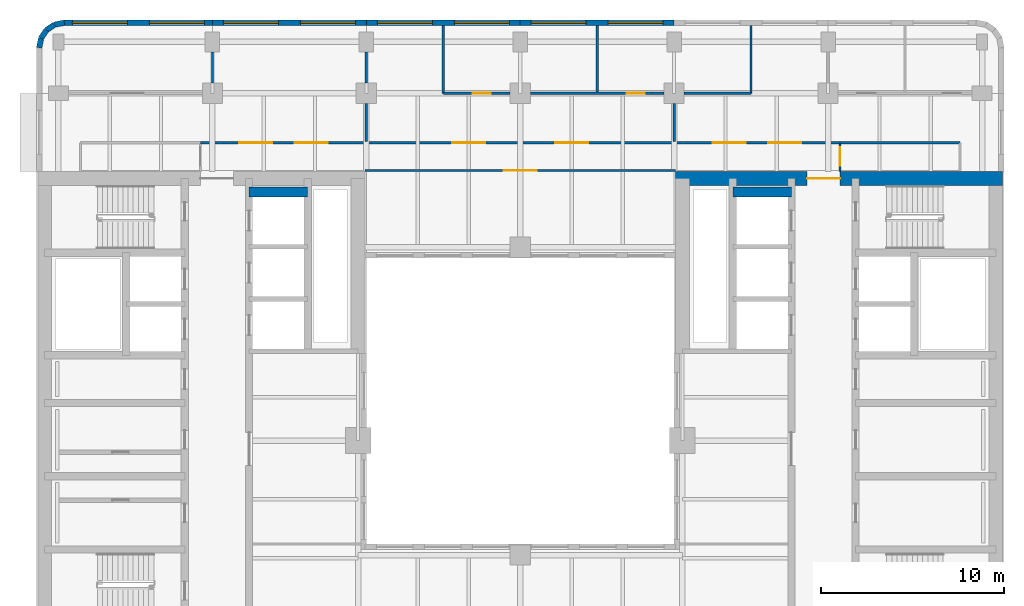
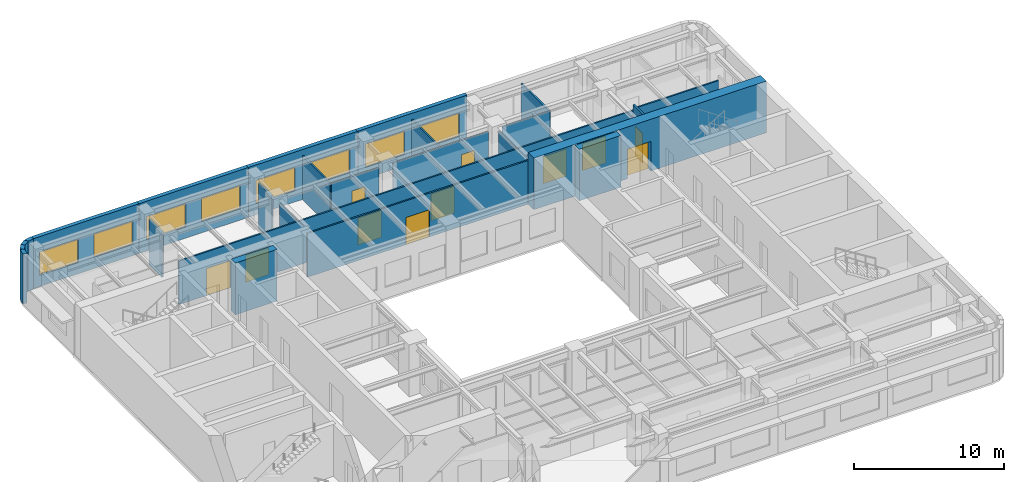
# One storey, part 7 of 11: 25 walls, 11 doors, 8 windows, 19 openings.
"""IFC4 building model written with IfcOpenShell, lengths in metres."""

import ifcopenshell
import ifcopenshell.guid

model = None  # the IFC model being written
_history = None  # IfcOwnerHistory: only IFC2X3 demands one
_inside = {}  # id of a spatial element -> (the spatial element, [elements in it])
_under = {}  # id of a project, library or spatial element -> (it, [spatial elements below it])
_declared = {}  # id of a project -> (the project, [libraries it declares])
_typed = {}  # id of a type object -> (the type object, [elements of that type])
_made_of = {}  # id of a material, layer set ... -> (it, [elements and type objects made of it])


def new_model(schema):
    """Start an empty IFC model of exactly this schema.

    Asked for "IFC4X3", IfcOpenShell would pick the latest addendum, in which some entities
    have other attributes; the version numbers below select the first issue.
    IFC2X3 requires an IfcOwnerHistory on every rooted entity: one is made here for all.
    """
    global model, _history
    if schema == "IFC4X3":
        model = ifcopenshell.file(schema_version=(4, 3, 0, 0))
    else:
        model = ifcopenshell.file(schema=schema)
    _inside.clear()
    _under.clear()
    _declared.clear()
    _typed.clear()
    _made_of.clear()
    _history = None
    if model.schema == "IFC2X3":
        org = make("IfcOrganization", Name="unknown")
        user = make(
            "IfcPersonAndOrganization",
            ThePerson=make("IfcPerson", FamilyName="unknown"),
            TheOrganization=org,
        )
        app = make(
            "IfcApplication",
            ApplicationDeveloper=org,
            Version="unknown",
            ApplicationFullName="unknown",
            ApplicationIdentifier="unknown",
        )
        _history = make(
            "IfcOwnerHistory",
            OwningUser=user,
            OwningApplication=app,
            ChangeAction="ADDED",
            CreationDate=0,
        )
    return model


def make(cls, **values):
    """One entity of the class cls with the attributes given. An attribute that is None is left unset."""
    return model.create_entity(
        cls, **{name: value for name, value in values.items() if value is not None}
    )


def rooted(cls, **values):
    """An entity with a GlobalId (a new one), such as an element, a storey or a relation."""
    return make(cls, GlobalId=ifcopenshell.guid.new(), OwnerHistory=_history, **values)


def si_unit(unit_type, name, prefix=None):
    """IfcSIUnit, for example si_unit("LENGTHUNIT", "METRE", prefix="MILLI")."""
    return make("IfcSIUnit", UnitType=unit_type, Prefix=prefix, Name=name)


def assignment(units):
    """IfcUnitAssignment: the units of a project."""
    return None if units is None else make("IfcUnitAssignment", Units=units)


def point(xyz):
    """IfcCartesianPoint."""
    return None if xyz is None else make("IfcCartesianPoint", Coordinates=xyz)


def direction(xyz):
    """IfcDirection."""
    return None if xyz is None else make("IfcDirection", DirectionRatios=xyz)


def frame(location, z_axis=None, x_axis=None):
    """IfcAxis2Placement3D, a coordinate frame: its origin and axes. An axis left out is left unset."""
    return make(
        "IfcAxis2Placement3D",
        Location=point(location),
        Axis=direction(z_axis),
        RefDirection=direction(x_axis),
    )


def frame_2d(location, x_axis=None):
    """IfcAxis2Placement2D, a coordinate frame in the plane: its origin and x axis."""
    return make(
        "IfcAxis2Placement2D", Location=point(location), RefDirection=direction(x_axis)
    )


def origin():
    """The frame at (0, 0, 0) with its axes left unset."""
    return frame((0.0, 0.0, 0.0))


def place(relative_to, where):
    """IfcLocalPlacement: puts the frame where relative to a parent placement (None: the world)."""
    return make(
        "IfcLocalPlacement", PlacementRelTo=relative_to, RelativePlacement=where
    )


def context(
    kind, dimensions, precision=None, world=None, true_north=None, identifier=None
):
    """IfcGeometricRepresentationContext, for example the 3D "Model" context."""
    return make(
        "IfcGeometricRepresentationContext",
        ContextIdentifier=identifier,
        ContextType=kind,
        CoordinateSpaceDimension=dimensions,
        Precision=precision,
        WorldCoordinateSystem=world,
        TrueNorth=true_north,
    )


def subcontext(parent, identifier, kind, view, scale=None):
    """IfcGeometricRepresentationSubContext, for example "Body" below "Model"."""
    return make(
        "IfcGeometricRepresentationSubContext",
        ContextIdentifier=identifier,
        ContextType=kind,
        ParentContext=parent,
        TargetScale=scale,
        TargetView=view,
    )


def project(units=None, contexts=None):
    """IfcProject with its units and contexts."""
    return rooted(
        "IfcProject",
        Name="project",
        RepresentationContexts=contexts,
        UnitsInContext=assignment(units),
    )


def spatial(cls, under=None, at=None, **own):
    """A site, building, storey or space (cls), placed at a placement, below another one or the project."""
    s = rooted(cls, ObjectPlacement=at, **own)
    if under is not None:
        _under.setdefault(under.id(), (under, []))[1].append(s)
    return s


def profile(cls, at=None, kind="AREA", **sizes):
    """A parametric profile (cls). Its sizes go by their IFC names, for example OverallWidth=200.0."""
    return make(cls, ProfileType=kind, Position=at, **sizes)


def rectangle(**sizes):
    """IfcRectangleProfileDef."""
    return profile("IfcRectangleProfileDef", **sizes)


def extrude(swept, where, along, depth):
    """IfcExtrudedAreaSolid: the profile swept, set in the frame where, extruded along a direction by depth."""
    return make(
        "IfcExtrudedAreaSolid",
        SweptArea=swept,
        Position=where,
        ExtrudedDirection=direction(along),
        Depth=depth,
    )


def shape(context_of_items, identifier, shape_type, items):
    """IfcShapeRepresentation: the items that make up one representation, for example the "Body"."""
    return make(
        "IfcShapeRepresentation",
        ContextOfItems=context_of_items,
        RepresentationIdentifier=identifier,
        RepresentationType=shape_type,
        Items=items,
    )


def material(Name=None, Category=None):
    """IfcMaterial."""
    return make("IfcMaterial", Name=Name, Category=Category)


def layer(
    of_material, thickness, ventilated=None, Name=None, Category=None, Priority=None
):
    """IfcMaterialLayer: one layer of a wall or slab, of a material (None: an air gap)."""
    return make(
        "IfcMaterialLayer",
        Material=of_material,
        LayerThickness=thickness,
        IsVentilated=ventilated,
        Name=Name,
        Category=Category,
        Priority=Priority,
    )


def layer_set(layers, Name=None):
    """IfcMaterialLayerSet."""
    return make("IfcMaterialLayerSet", MaterialLayers=layers, LayerSetName=Name)


def made_of(thing, what):
    """Note that an element or type object is made of a material, layer set ...; save() writes the relation."""
    if what is not None:
        _made_of.setdefault(what.id(), (what, []))[1].append(thing)
    return thing


def type_object(cls, material=None, **own):
    """A type object (cls), such as IfcWallType, which elements share."""
    return made_of(rooted(cls, **own), material)


def element(
    cls,
    number,
    at=None,
    inside=None,
    cuts=None,
    type_object=None,
    material=None,
    context=None,
    identifier="Body",
    shape_type=None,
    held_by="IfcProductDefinitionShape",
    body=None,
    shapes=None,
    **own,
):
    """One element of the class cls, such as IfcWall. Its Tag is "e" and its number.

    at: its placement. inside: the storey or other place that contains it. cuts: it is an
    opening in that element (IfcRelVoidsElement). A single representation is given by context,
    identifier, shape_type and body (its items); several are given by shapes. held_by: the class
    of the entity that holds the representations. save() writes the other relations.
    """
    e = rooted(cls, Tag="e%d" % number, ObjectPlacement=at, **own)
    if body is not None:
        shapes = [shape(context, identifier, shape_type, body)]
    if shapes is not None:
        e.Representation = make(held_by, Representations=shapes)
    if inside is not None:
        _inside.setdefault(inside.id(), (inside, []))[1].append(e)
    if cuts is not None:
        rooted(
            "IfcRelVoidsElement", RelatingBuildingElement=cuts, RelatedOpeningElement=e
        )
    if type_object is not None:
        _typed.setdefault(type_object.id(), (type_object, []))[1].append(e)
    return made_of(e, material)


def fill(opening, filler):
    """IfcRelFillsElement: the door or window that sits in an opening."""
    return rooted(
        "IfcRelFillsElement",
        RelatingOpeningElement=opening,
        RelatedBuildingElement=filler,
    )


def aggregate(whole, parts):
    """IfcRelAggregates: a whole, such as a stair, and the parts it consists of."""
    return rooted("IfcRelAggregates", RelatingObject=whole, RelatedObjects=parts)


def save(model, path):
    """Write the relations noted so far, then the file.

    IfcRelAggregates (storeys below a building ...), IfcRelContainedInSpatialStructure (elements
    in a storey), IfcRelDefinesByType, IfcRelAssociatesMaterial and IfcRelDeclares: one each for
    every whole, place, type object, material and project.
    """
    for whole, parts in _under.values():
        aggregate(whole, parts)
    for where, things in _inside.values():
        rooted(
            "IfcRelContainedInSpatialStructure",
            RelatedElements=things,
            RelatingStructure=where,
        )
    for kind, things in _typed.values():
        rooted("IfcRelDefinesByType", RelatedObjects=things, RelatingType=kind)
    for what, things in _made_of.values():
        rooted("IfcRelAssociatesMaterial", RelatedObjects=things, RelatingMaterial=what)
    for by, libraries in _declared.values():
        rooted("IfcRelDeclares", RelatingContext=by, RelatedDefinitions=libraries)
    model.write(path)


model = new_model("IFC4")

# Units and contexts
model_context = context("Model", 3, precision=1e-05, world=origin(), true_north=direction((0.0, 1.0)))
body_context = subcontext(model_context, "Body", "Model", "MODEL_VIEW")
ifc_project = project(units=[si_unit("LENGTHUNIT", "METRE"), si_unit("AREAUNIT", "SQUARE_METRE"), si_unit("VOLUMEUNIT", "CUBIC_METRE"), si_unit("PLANEANGLEUNIT", "RADIAN"), si_unit("MASSUNIT", "GRAM", prefix="KILO")], contexts=[model_context])

# Site, building, storey
site_placement = place(None, origin())
site = spatial("IfcSite", under=ifc_project, at=site_placement, CompositionType="ELEMENT")
building_placement = place(site_placement, origin())
building = spatial("IfcBuilding", under=site, at=building_placement, Name="Claustro Exchange Tower", CompositionType="ELEMENT")
storey_placement = place(building_placement, frame((0.0, 0.0, 207.0)))
storey = spatial("IfcBuildingStorey", under=building, at=storey_placement, Name="L47", CompositionType="ELEMENT", Elevation=207.0)

# Wall
ifc_material_1 = material(Name="Laminated glass in aluminium frame", Category="aluminium")
ifc_layer_1 = layer(ifc_material_1, 0.1201171875)
ifc_layer_set_1 = layer_set([ifc_layer_1], Name="Laminated glass in aluminium frame")
wall_type_1 = type_object("IfcWallType", Name="P2 120 glazed partition", PredefinedType="PARTITIONING", material=ifc_layer_set_1)
wall_1_placement = place(storey_placement, frame((8.39990234375, 42.549072265625, 0.0), z_axis=(0.0, 0.0, 1.0), x_axis=(0.0, 1.0, 0.0)))
element("IfcWall", 1, at=wall_1_placement, inside=storey, type_object=wall_type_1, Name="Partition P2 L47", PredefinedType="PARTITIONING", context=body_context, shape_type="SweptSolid", body=[
    extrude(rectangle(XDim=1.701904296875, YDim=0.1201171875, at=frame_2d((0.85107421875, 0.0))), origin(), (0.0, 0.0, 1.0), 3.68994140625),
])

# Wall, opening, door
wall_2_placement = place(storey_placement, frame((21.0, 42.0, 0.0), z_axis=(0.0, 0.0, 1.0), x_axis=(1.0, 0.0, 0.0)))
wall_2 = element("IfcWall", 2, at=wall_2_placement, inside=storey, type_object=wall_type_1, Name="Partition P2 L47", PredefinedType="PARTITIONING", context=body_context, shape_type="SweptSolid", body=[
    extrude(rectangle(XDim=3.65087890625, YDim=0.1201171875, at=frame_2d((1.825439453125, 0.0))), origin(), (0.0, 0.0, 1.0), 3.550048828125),
])
opening_1_placement = place(wall_2_placement, frame((1.60009765625, 0.0, 0.0)))
opening_1 = element("IfcOpeningElement", 3, at=opening_1_placement, cuts=wall_2, Name="Opening D7", PredefinedType="OPENING", context=body_context, shape_type="SweptSolid", body=[
    extrude(rectangle(XDim=1.0, YDim=2.39990234375, at=frame_2d((0.5, 1.199951171875))), frame((0.0, 0.070068359375, 0.0), z_axis=(0.0, -1.0, 0.0), x_axis=(1.0, 0.0, 0.0)), (0.0, 0.0, 1.0), 0.14013671875),
])
ifc_material_2 = material(Name="Glass door in aluminium frame", Category="aluminium")
door_type_1 = type_object("IfcDoorType", Name="D7 1000 x 2400 glazed door", OperationType="SINGLE_SWING_LEFT", PredefinedType="DOOR", material=ifc_material_2)
door_1_placement = place(opening_1_placement, origin())
door_1 = element("IfcDoor", 4, at=door_1_placement, inside=storey, type_object=door_type_1, Name="Door D7 L47", OperationType="SINGLE_SWING_LEFT", OverallHeight=2.39990234375, OverallWidth=1.0, PredefinedType="DOOR", context=body_context, shape_type="SweptSolid", body=[
    extrude(rectangle(XDim=1.0, YDim=2.39990234375, at=frame_2d((0.5, 1.199951171875))), frame((0.0, 0.02490234375, 0.0), z_axis=(0.0, -1.0, 0.0), x_axis=(1.0, 0.0, 0.0)), (0.0, 0.0, 1.0), 0.050048828125),
])
fill(opening_1, door_1)

wall_3_placement = place(storey_placement, frame((25.7490234375, 42.0, 0.0), z_axis=(0.0, 0.0, 1.0), x_axis=(1.0, 0.0, 0.0)))
wall_3 = element("IfcWall", 5, at=wall_3_placement, inside=storey, type_object=wall_type_1, Name="Partition P2 L47", PredefinedType="PARTITIONING", context=body_context, shape_type="SweptSolid", body=[
    extrude(rectangle(XDim=7.302001953125, YDim=0.1201171875, at=frame_2d((3.65087890625, 0.0))), origin(), (0.0, 0.0, 1.0), 3.550048828125),
])
opening_2_placement = place(wall_3_placement, frame((5.2509765625, 0.0, 0.0)))
opening_2 = element("IfcOpeningElement", 6, at=opening_2_placement, cuts=wall_3, Name="Opening D7", PredefinedType="OPENING", context=body_context, shape_type="SweptSolid", body=[
    extrude(rectangle(XDim=1.0, YDim=2.39990234375, at=frame_2d((0.5, 1.199951171875))), frame((0.0, 0.070068359375, 0.0), z_axis=(0.0, -1.0, 0.0), x_axis=(1.0, 0.0, 0.0)), (0.0, 0.0, 1.0), 0.14013671875),
])
door_2_placement = place(opening_2_placement, origin())
door_2 = element("IfcDoor", 7, at=door_2_placement, inside=storey, type_object=door_type_1, Name="Door D7 L47", OperationType="SINGLE_SWING_LEFT", OverallHeight=2.39990234375, OverallWidth=1.0, PredefinedType="DOOR", context=body_context, shape_type="SweptSolid", body=[
    extrude(rectangle(XDim=1.0, YDim=2.39990234375, at=frame_2d((0.5, 1.199951171875))), frame((0.0, 0.02490234375, 0.0), z_axis=(0.0, -1.0, 0.0), x_axis=(1.0, 0.0, 0.0)), (0.0, 0.0, 1.0), 0.050048828125),
])
fill(opening_2, door_2)

# Walls
wall_4_placement = place(storey_placement, frame((34.14892578125, 42.0, 0.0), z_axis=(0.0, 0.0, 1.0), x_axis=(1.0, 0.0, 0.0)))
element("IfcWall", 8, at=wall_4_placement, inside=storey, type_object=wall_type_1, Name="Partition P2 L47", PredefinedType="PARTITIONING", context=body_context, shape_type="SweptSolid", body=[
    extrude(rectangle(XDim=3.651123046875, YDim=0.1201171875, at=frame_2d((1.82568359375, 0.0))), origin(), (0.0, 0.0, 1.0), 3.550048828125),
])
wall_5_placement = place(storey_placement, frame((21.0, 42.0, 0.0), z_axis=(0.0, 0.0, 1.0), x_axis=(0.0, 1.0, 0.0)))
element("IfcWall", 9, at=wall_5_placement, inside=storey, type_object=wall_type_1, Name="Partition P2 L47", PredefinedType="PARTITIONING", context=body_context, shape_type="SweptSolid", body=[
    extrude(rectangle(XDim=3.701904296875, YDim=0.1201171875, at=frame_2d((1.85107421875, 0.0))), origin(), (0.0, 0.0, 1.0), 3.550048828125),
])
wall_6_placement = place(storey_placement, frame((29.39990234375, 42.05810546875, 0.0), z_axis=(0.0, 0.0, 1.0), x_axis=(0.0, 1.0, 0.0)))
element("IfcWall", 10, at=wall_6_placement, inside=storey, type_object=wall_type_1, Name="Partition P2 L47", PredefinedType="PARTITIONING", context=body_context, shape_type="SweptSolid", body=[
    extrude(rectangle(XDim=3.643798828125, YDim=0.1201171875, at=frame_2d((1.82177734375, 0.0))), origin(), (0.0, 0.0, 1.0), 3.550048828125),
])
wall_7_placement = place(storey_placement, frame((37.800048828125, 42.0, 0.0), z_axis=(0.0, 0.0, 1.0), x_axis=(0.0, 1.0, 0.0)))
element("IfcWall", 11, at=wall_7_placement, inside=storey, type_object=wall_type_1, Name="Partition P2 L47", PredefinedType="PARTITIONING", context=body_context, shape_type="SweptSolid", body=[
    extrude(rectangle(XDim=3.701904296875, YDim=0.1201171875, at=frame_2d((1.85107421875, 0.0))), origin(), (0.0, 0.0, 1.0), 3.550048828125),
])
wall_8_placement = place(storey_placement, frame((16.800048828125, 39.35791015625, 0.0), z_axis=(0.0, 0.0, 1.0), x_axis=(0.0, 1.0, 0.0)))
element("IfcWall", 12, at=wall_8_placement, inside=storey, type_object=wall_type_1, Name="Partition P2 L47", PredefinedType="PARTITIONING", context=body_context, shape_type="SweptSolid", body=[
    extrude(rectangle(XDim=2.093017578125, YDim=0.1201171875, at=frame_2d((1.04638671875, 0.0))), origin(), (0.0, 0.0, 1.0), 3.68994140625),
])
wall_9_placement = place(storey_placement, frame((16.800048828125, 42.549072265625, 0.0), z_axis=(0.0, 0.0, 1.0), x_axis=(0.0, 1.0, 0.0)))
element("IfcWall", 13, at=wall_9_placement, inside=storey, type_object=wall_type_1, Name="Partition P2 L47", PredefinedType="PARTITIONING", context=body_context, shape_type="SweptSolid", body=[
    extrude(rectangle(XDim=1.701904296875, YDim=0.1201171875, at=frame_2d((0.85107421875, 0.0))), origin(), (0.0, 0.0, 1.0), 3.68994140625),
])
wall_10_placement = place(storey_placement, frame((33.60009765625, 39.35791015625, 0.0), z_axis=(0.0, 0.0, 1.0), x_axis=(0.0, 1.0, 0.0)))
element("IfcWall", 14, at=wall_10_placement, inside=storey, type_object=wall_type_1, Name="Partition P2 L47", PredefinedType="PARTITIONING", context=body_context, shape_type="SweptSolid", body=[
    extrude(rectangle(XDim=2.093017578125, YDim=0.1201171875, at=frame_2d((1.04638671875, 0.0))), origin(), (0.0, 0.0, 1.0), 3.68994140625),
])

# Wall, openings, doors
wall_11_placement = place(storey_placement, frame((7.748046875, 39.300048828125, 0.0), z_axis=(0.0, 0.0, 1.0), x_axis=(1.0, 0.0, 0.0)))
wall_11 = element("IfcWall", 15, at=wall_11_placement, inside=storey, type_object=wall_type_1, Name="Partition P2 L47", PredefinedType="PARTITIONING", context=body_context, shape_type="SweptSolid", body=[
    extrude(rectangle(XDim=34.904052734375, YDim=0.1201171875, at=frame_2d((17.4521484375, 0.0))), origin(), (0.0, 0.0, 1.0), 3.550048828125),
])
opening_3_placement = place(wall_11_placement, frame((2.11865234375, 0.0, 0.0)))
opening_3 = element("IfcOpeningElement", 16, at=opening_3_placement, cuts=wall_11, Name="Opening D2", PredefinedType="OPENING", context=body_context, shape_type="SweptSolid", body=[
    extrude(rectangle(XDim=1.800048828125, YDim=2.199951171875, at=frame_2d((0.89990234375, 1.10009765625))), frame((0.0, 0.070068359375, 0.0), z_axis=(0.0, -1.0, 0.0), x_axis=(1.0, 0.0, 0.0)), (0.0, 0.0, 1.0), 0.14013671875),
])
opening_4_placement = place(wall_11_placement, frame((5.13525390625, 0.0, 0.0)))
opening_4 = element("IfcOpeningElement", 17, at=opening_4_placement, cuts=wall_11, Name="Opening D2", PredefinedType="OPENING", context=body_context, shape_type="SweptSolid", body=[
    extrude(rectangle(XDim=1.800048828125, YDim=2.199951171875, at=frame_2d((0.89990234375, 1.10009765625))), frame((0.0, 0.070068359375, 0.0), z_axis=(0.0, -1.0, 0.0), x_axis=(1.0, 0.0, 0.0)), (0.0, 0.0, 1.0), 0.14013671875),
])
opening_5_placement = place(wall_11_placement, frame((13.751953125, 0.0, 0.0)))
opening_5 = element("IfcOpeningElement", 18, at=opening_5_placement, cuts=wall_11, Name="Opening D2", PredefinedType="OPENING", context=body_context, shape_type="SweptSolid", body=[
    extrude(rectangle(XDim=1.800048828125, YDim=2.199951171875, at=frame_2d((0.89990234375, 1.10009765625))), frame((0.0, 0.070068359375, 0.0), z_axis=(0.0, -1.0, 0.0), x_axis=(1.0, 0.0, 0.0)), (0.0, 0.0, 1.0), 0.14013671875),
])
opening_6_placement = place(wall_11_placement, frame((19.35205078125, 0.0, 0.0)))
opening_6 = element("IfcOpeningElement", 19, at=opening_6_placement, cuts=wall_11, Name="Opening D2", PredefinedType="OPENING", context=body_context, shape_type="SweptSolid", body=[
    extrude(rectangle(XDim=1.800048828125, YDim=2.199951171875, at=frame_2d((0.89990234375, 1.10009765625))), frame((0.0, 0.070068359375, 0.0), z_axis=(0.0, -1.0, 0.0), x_axis=(1.0, 0.0, 0.0)), (0.0, 0.0, 1.0), 0.14013671875),
])
opening_7_placement = place(wall_11_placement, frame((27.96875, 0.0, 0.0)))
opening_7 = element("IfcOpeningElement", 20, at=opening_7_placement, cuts=wall_11, Name="Opening D2", PredefinedType="OPENING", context=body_context, shape_type="SweptSolid", body=[
    extrude(rectangle(XDim=1.800048828125, YDim=2.199951171875, at=frame_2d((0.89990234375, 1.10009765625))), frame((0.0, 0.070068359375, 0.0), z_axis=(0.0, -1.0, 0.0), x_axis=(1.0, 0.0, 0.0)), (0.0, 0.0, 1.0), 0.14013671875),
])
opening_8_placement = place(wall_11_placement, frame((30.9853515625, 0.0, 0.0)))
opening_8 = element("IfcOpeningElement", 21, at=opening_8_placement, cuts=wall_11, Name="Opening D2", PredefinedType="OPENING", context=body_context, shape_type="SweptSolid", body=[
    extrude(rectangle(XDim=1.800048828125, YDim=2.199951171875, at=frame_2d((0.89990234375, 1.10009765625))), frame((0.0, 0.070068359375, 0.0), z_axis=(0.0, -1.0, 0.0), x_axis=(1.0, 0.0, 0.0)), (0.0, 0.0, 1.0), 0.14013671875),
])
ifc_material_3 = material(Name="Timber door, oak veneer", Category="wood")
door_type_2 = type_object("IfcDoorType", Name="D2 1800 x 2200 double door", OperationType="DOUBLE_DOOR_SINGLE_SWING", PredefinedType="DOOR", material=ifc_material_3)
door_3_placement = place(opening_3_placement, origin())
door_3 = element("IfcDoor", 22, at=door_3_placement, inside=storey, type_object=door_type_2, Name="Double door D2 L47", OperationType="DOUBLE_DOOR_SINGLE_SWING", OverallHeight=2.199951171875, OverallWidth=1.800048828125, PredefinedType="DOOR", context=body_context, shape_type="SweptSolid", body=[
    extrude(rectangle(XDim=1.800048828125, YDim=2.199951171875, at=frame_2d((0.89990234375, 1.10009765625))), frame((0.0, 0.02490234375, 0.0), z_axis=(0.0, -1.0, 0.0), x_axis=(1.0, 0.0, 0.0)), (0.0, 0.0, 1.0), 0.050048828125),
])
fill(opening_3, door_3)
door_4_placement = place(opening_4_placement, origin())
door_4 = element("IfcDoor", 23, at=door_4_placement, inside=storey, type_object=door_type_2, Name="Double door D2 L47", OperationType="DOUBLE_DOOR_SINGLE_SWING", OverallHeight=2.199951171875, OverallWidth=1.800048828125, PredefinedType="DOOR", context=body_context, shape_type="SweptSolid", body=[
    extrude(rectangle(XDim=1.800048828125, YDim=2.199951171875, at=frame_2d((0.89990234375, 1.10009765625))), frame((0.0, 0.02490234375, 0.0), z_axis=(0.0, -1.0, 0.0), x_axis=(1.0, 0.0, 0.0)), (0.0, 0.0, 1.0), 0.050048828125),
])
fill(opening_4, door_4)
door_5_placement = place(opening_5_placement, origin())
door_5 = element("IfcDoor", 24, at=door_5_placement, inside=storey, type_object=door_type_2, Name="Double door D2 L47", OperationType="DOUBLE_DOOR_SINGLE_SWING", OverallHeight=2.199951171875, OverallWidth=1.800048828125, PredefinedType="DOOR", context=body_context, shape_type="SweptSolid", body=[
    extrude(rectangle(XDim=1.800048828125, YDim=2.199951171875, at=frame_2d((0.89990234375, 1.10009765625))), frame((0.0, 0.02490234375, 0.0), z_axis=(0.0, -1.0, 0.0), x_axis=(1.0, 0.0, 0.0)), (0.0, 0.0, 1.0), 0.050048828125),
])
fill(opening_5, door_5)
door_6_placement = place(opening_6_placement, origin())
door_6 = element("IfcDoor", 25, at=door_6_placement, inside=storey, type_object=door_type_2, Name="Double door D2 L47", OperationType="DOUBLE_DOOR_SINGLE_SWING", OverallHeight=2.199951171875, OverallWidth=1.800048828125, PredefinedType="DOOR", context=body_context, shape_type="SweptSolid", body=[
    extrude(rectangle(XDim=1.800048828125, YDim=2.199951171875, at=frame_2d((0.89990234375, 1.10009765625))), frame((0.0, 0.02490234375, 0.0), z_axis=(0.0, -1.0, 0.0), x_axis=(1.0, 0.0, 0.0)), (0.0, 0.0, 1.0), 0.050048828125),
])
fill(opening_6, door_6)
door_7_placement = place(opening_7_placement, origin())
door_7 = element("IfcDoor", 26, at=door_7_placement, inside=storey, type_object=door_type_2, Name="Double door D2 L47", OperationType="DOUBLE_DOOR_SINGLE_SWING", OverallHeight=2.199951171875, OverallWidth=1.800048828125, PredefinedType="DOOR", context=body_context, shape_type="SweptSolid", body=[
    extrude(rectangle(XDim=1.800048828125, YDim=2.199951171875, at=frame_2d((0.89990234375, 1.10009765625))), frame((0.0, 0.02490234375, 0.0), z_axis=(0.0, -1.0, 0.0), x_axis=(1.0, 0.0, 0.0)), (0.0, 0.0, 1.0), 0.050048828125),
])
fill(opening_7, door_7)
door_8_placement = place(opening_8_placement, origin())
door_8 = element("IfcDoor", 27, at=door_8_placement, inside=storey, type_object=door_type_2, Name="Double door D2 L47", OperationType="DOUBLE_DOOR_SINGLE_SWING", OverallHeight=2.199951171875, OverallWidth=1.800048828125, PredefinedType="DOOR", context=body_context, shape_type="SweptSolid", body=[
    extrude(rectangle(XDim=1.800048828125, YDim=2.199951171875, at=frame_2d((0.89990234375, 1.10009765625))), frame((0.0, 0.02490234375, 0.0), z_axis=(0.0, -1.0, 0.0), x_axis=(1.0, 0.0, 0.0)), (0.0, 0.0, 1.0), 0.050048828125),
])
fill(opening_8, door_8)

# Wall, opening, door
wall_12_placement = place(storey_placement, frame((42.64990234375, 37.72412109375, 0.0), z_axis=(0.0, 0.0, 1.0), x_axis=(0.0, 1.0, 0.0)))
wall_12 = element("IfcWall", 28, at=wall_12_placement, inside=storey, type_object=wall_type_1, Name="Partition P2 L47", PredefinedType="PARTITIONING", context=body_context, shape_type="SweptSolid", body=[
    extrude(rectangle(XDim=1.517822265625, YDim=0.1201171875, at=frame_2d((0.7587890625, 0.0))), origin(), (0.0, 0.0, 1.0), 4.050048828125),
])
opening_9_placement = place(wall_12_placement, frame((0.325927734375, 0.0, 0.0)))
opening_9 = element("IfcOpeningElement", 29, at=opening_9_placement, cuts=wall_12, Name="Opening D7", PredefinedType="OPENING", context=body_context, shape_type="SweptSolid", body=[
    extrude(rectangle(XDim=1.0, YDim=2.39990234375, at=frame_2d((0.5, 1.199951171875))), frame((0.0, 0.070068359375, 0.0), z_axis=(0.0, -1.0, 0.0), x_axis=(1.0, 0.0, 0.0)), (0.0, 0.0, 1.0), 0.14013671875),
])
door_9_placement = place(opening_9_placement, frame((1.0, 0.0, 0.0), z_axis=(0.0, 0.0, 1.0), x_axis=(-1.0, 0.0, 0.0)))
door_9 = element("IfcDoor", 30, at=door_9_placement, inside=storey, type_object=door_type_1, Name="Door D7 L47", OperationType="SINGLE_SWING_RIGHT", OverallHeight=2.39990234375, OverallWidth=1.0, PredefinedType="DOOR", context=body_context, shape_type="SweptSolid", body=[
    extrude(rectangle(XDim=1.0, YDim=2.39990234375, at=frame_2d((0.5, 1.199951171875))), frame((0.0, 0.02490234375, 0.0), z_axis=(0.0, -1.0, 0.0), x_axis=(1.0, 0.0, 0.0)), (0.0, 0.0, 1.0), 0.050048828125),
])
fill(opening_9, door_9)

# Wall
wall_13_placement = place(storey_placement, frame((42.64794921875, 39.300048828125, 0.0), z_axis=(0.0, 0.0, 1.0), x_axis=(1.0, 0.0, 0.0)))
element("IfcWall", 31, at=wall_13_placement, inside=storey, type_object=wall_type_1, Name="Partition P2 L47", PredefinedType="PARTITIONING", context=body_context, shape_type="SweptSolid", body=[
    extrude(rectangle(XDim=6.552001953125, YDim=0.1201171875, at=frame_2d((3.27587890625, 0.0))), origin(), (0.0, 0.0, 1.0), 3.68994140625),
])

# Wall, opening, door
wall_14_placement = place(storey_placement, frame((16.72509765625, 37.784912109375, 0.0), z_axis=(0.0, 0.0, 1.0), x_axis=(1.0, 0.0, 0.0)))
wall_14 = element("IfcWall", 32, at=wall_14_placement, inside=storey, type_object=wall_type_1, Name="Partition P2 L47", PredefinedType="PARTITIONING", context=body_context, shape_type="SweptSolid", body=[
    extrude(rectangle(XDim=16.949951171875, YDim=0.1201171875, at=frame_2d((8.47509765625, 0.0))), origin(), (0.0, 0.0, 1.0), 3.550048828125),
])
opening_10_placement = place(wall_14_placement, frame((7.574951171875, 0.0, 0.0)))
opening_10 = element("IfcOpeningElement", 33, at=opening_10_placement, cuts=wall_14, Name="Opening D2", PredefinedType="OPENING", context=body_context, shape_type="SweptSolid", body=[
    extrude(rectangle(XDim=1.800048828125, YDim=2.199951171875, at=frame_2d((0.89990234375, 1.10009765625))), frame((0.0, 0.070068359375, 0.0), z_axis=(0.0, -1.0, 0.0), x_axis=(1.0, 0.0, 0.0)), (0.0, 0.0, 1.0), 0.14013671875),
])
door_10_placement = place(opening_10_placement, frame((1.800048828125, 0.0, 0.0), z_axis=(0.0, 0.0, 1.0), x_axis=(-1.0, 0.0, 0.0)))
door_10 = element("IfcDoor", 34, at=door_10_placement, inside=storey, type_object=door_type_2, Name="Double door D2 L47", OperationType="DOUBLE_DOOR_SINGLE_SWING", OverallHeight=2.199951171875, OverallWidth=1.800048828125, PredefinedType="DOOR", context=body_context, shape_type="SweptSolid", body=[
    extrude(rectangle(XDim=1.800048828125, YDim=2.199951171875, at=frame_2d((0.89990234375, 1.10009765625))), frame((0.0, 0.02490234375, 0.0), z_axis=(0.0, -1.0, 0.0), x_axis=(1.0, 0.0, 0.0)), (0.0, 0.0, 1.0), 0.050048828125),
])
fill(opening_10, door_10)

# Walls
ifc_material_4 = material(Name="Concrete HA-40 (C40/50), precast, white cement, acid-etched", Category="concrete")
ifc_layer_2 = layer(ifc_material_4, 0.300048828125)
ifc_layer_set_2 = layer_set([ifc_layer_2], Name="Concrete HA-40 (C40/50), precast, white cement, acid-etched")
wall_type_2 = type_object("IfcWallType", Name="PC1 300 precast concrete pier panel", PredefinedType="SOLIDWALL", material=ifc_layer_set_2)
wall_15_placement = place(storey_placement, frame((-1.050048828125, 44.485107421875, 0.0), z_axis=(0.0, 0.0, 1.0), x_axis=(0.195073962632, 0.980788534345, 0.0)))
element("IfcWall", 35, at=wall_15_placement, inside=storey, type_object=wall_type_2, Name="Precast pier panel PC1 L47", PredefinedType="SOLIDWALL", context=body_context, shape_type="SweptSolid", body=[
    extrude(rectangle(XDim=0.540771484375, YDim=0.300048828125, at=frame_2d((0.2705078125, 0.0))), origin(), (0.0, 0.0, 1.0), 4.050048828125),
])
wall_16_placement = place(storey_placement, frame((-0.944580078125, 45.015380859375, 0.0), z_axis=(0.0, 0.0, 1.0), x_axis=(0.55534295404, 0.831621430339, 0.0)))
element("IfcWall", 36, at=wall_16_placement, inside=storey, type_object=wall_type_2, Name="Precast pier panel PC1 L47", PredefinedType="SOLIDWALL", context=body_context, shape_type="SweptSolid", body=[
    extrude(rectangle(XDim=0.52587890625, YDim=0.300048828125, at=frame_2d((0.262939453125, 0.0))), origin(), (0.0, 0.0, 1.0), 4.050048828125),
])
wall_17_placement = place(storey_placement, frame((-0.652587890625, 45.45263671875, 0.0), z_axis=(0.0, 0.0, 1.0), x_axis=(0.831692711774, 0.555236195849, 0.0)))
element("IfcWall", 37, at=wall_17_placement, inside=storey, type_object=wall_type_2, Name="Precast pier panel PC1 L47", PredefinedType="SOLIDWALL", context=body_context, shape_type="SweptSolid", body=[
    extrude(rectangle(XDim=0.525390625, YDim=0.300048828125, at=frame_2d((0.2626953125, 0.0))), origin(), (0.0, 0.0, 1.0), 4.050048828125),
])
wall_18_placement = place(storey_placement, frame((-0.215576171875, 45.744384765625, 0.0), z_axis=(0.0, 0.0, 1.0), x_axis=(0.980702050465, 0.1955082817, 0.0)))
element("IfcWall", 38, at=wall_18_placement, inside=storey, type_object=wall_type_2, Name="Precast pier panel PC1 L47", PredefinedType="SOLIDWALL", context=body_context, shape_type="SweptSolid", body=[
    extrude(rectangle(XDim=0.540771484375, YDim=0.300048828125, at=frame_2d((0.2705078125, 0.0))), origin(), (0.0, 0.0, 1.0), 4.050048828125),
])

# Wall, openings, windows
wall_19_placement = place(storey_placement, frame((0.314697265625, 45.85009765625, 0.0), z_axis=(0.0, 0.0, 1.0), x_axis=(1.0, 0.0, 0.0)))
wall_19 = element("IfcWall", 39, at=wall_19_placement, inside=storey, type_object=wall_type_2, Name="Precast pier panel PC1 L47", PredefinedType="SOLIDWALL", context=body_context, shape_type="SweptSolid", body=[
    extrude(rectangle(XDim=8.085205078125, YDim=0.300048828125, at=frame_2d((4.04248046875, 0.0))), origin(), (0.0, 0.0, 1.0), 4.050048828125),
])
opening_11_placement = place(wall_19_placement, frame((0.442626953125, 0.0, 0.89990234375)))
opening_11 = element("IfcOpeningElement", 40, at=opening_11_placement, cuts=wall_19, Name="Opening W1", PredefinedType="OPENING", context=body_context, shape_type="SweptSolid", body=[
    extrude(rectangle(XDim=3.0, YDim=1.89990234375, at=frame_2d((1.5, 0.949951171875))), frame((0.0, 0.159912109375, 0.0), z_axis=(0.0, -1.0, 0.0), x_axis=(1.0, 0.0, 0.0)), (0.0, 0.0, 1.0), 0.320068359375),
])
opening_12_placement = place(wall_19_placement, frame((4.642578125, 0.0, 0.89990234375)))
opening_12 = element("IfcOpeningElement", 41, at=opening_12_placement, cuts=wall_19, Name="Opening W1", PredefinedType="OPENING", context=body_context, shape_type="SweptSolid", body=[
    extrude(rectangle(XDim=3.0, YDim=1.89990234375, at=frame_2d((1.5, 0.949951171875))), frame((0.0, 0.159912109375, 0.0), z_axis=(0.0, -1.0, 0.0), x_axis=(1.0, 0.0, 0.0)), (0.0, 0.0, 1.0), 0.320068359375),
])
ifc_material_5 = material(Name="Aluminium frame, clear double glazing", Category="aluminium")
window_type = type_object("IfcWindowType", Name="W1 3000 x 1900 window", PartitioningType="SINGLE_PANEL", PredefinedType="WINDOW", material=ifc_material_5)
window_1_placement = place(opening_11_placement, origin())
window_1 = element("IfcWindow", 42, at=window_1_placement, inside=storey, type_object=window_type, Name="Window W1 L47", OverallHeight=1.89990234375, OverallWidth=3.0, PartitioningType="SINGLE_PANEL", PredefinedType="WINDOW", context=body_context, shape_type="SweptSolid", body=[
    extrude(rectangle(XDim=3.0, YDim=1.89990234375, at=frame_2d((1.5, 0.949951171875))), frame((0.0, 0.030029296875, 0.0), z_axis=(0.0, -1.0, 0.0), x_axis=(1.0, 0.0, 0.0)), (0.0, 0.0, 1.0), 0.06005859375),
])
fill(opening_11, window_1)
window_2_placement = place(opening_12_placement, origin())
window_2 = element("IfcWindow", 43, at=window_2_placement, inside=storey, type_object=window_type, Name="Window W1 L47", OverallHeight=1.89990234375, OverallWidth=3.0, PartitioningType="SINGLE_PANEL", PredefinedType="WINDOW", context=body_context, shape_type="SweptSolid", body=[
    extrude(rectangle(XDim=3.0, YDim=1.89990234375, at=frame_2d((1.5, 0.949951171875))), frame((0.0, 0.030029296875, 0.0), z_axis=(0.0, -1.0, 0.0), x_axis=(1.0, 0.0, 0.0)), (0.0, 0.0, 1.0), 0.06005859375),
])
fill(opening_12, window_2)

wall_20_placement = place(storey_placement, frame((8.39990234375, 45.85009765625, 0.0), z_axis=(0.0, 0.0, 1.0), x_axis=(1.0, 0.0, 0.0)))
wall_20 = element("IfcWall", 44, at=wall_20_placement, inside=storey, type_object=wall_type_2, Name="Precast pier panel PC1 L47", PredefinedType="SOLIDWALL", context=body_context, shape_type="SweptSolid", body=[
    extrude(rectangle(XDim=8.400146484375, YDim=0.300048828125, at=frame_2d((4.2001953125, 0.0))), origin(), (0.0, 0.0, 1.0), 4.050048828125),
])
opening_13_placement = place(wall_20_placement, frame((0.60009765625, 0.0, 0.89990234375)))
opening_13 = element("IfcOpeningElement", 45, at=opening_13_placement, cuts=wall_20, Name="Opening W1", PredefinedType="OPENING", context=body_context, shape_type="SweptSolid", body=[
    extrude(rectangle(XDim=3.0, YDim=1.89990234375, at=frame_2d((1.5, 0.949951171875))), frame((0.0, 0.159912109375, 0.0), z_axis=(0.0, -1.0, 0.0), x_axis=(1.0, 0.0, 0.0)), (0.0, 0.0, 1.0), 0.320068359375),
])
opening_14_placement = place(wall_20_placement, frame((4.800048828125, 0.0, 0.89990234375)))
opening_14 = element("IfcOpeningElement", 46, at=opening_14_placement, cuts=wall_20, Name="Opening W1", PredefinedType="OPENING", context=body_context, shape_type="SweptSolid", body=[
    extrude(rectangle(XDim=3.0, YDim=1.89990234375, at=frame_2d((1.5, 0.949951171875))), frame((0.0, 0.159912109375, 0.0), z_axis=(0.0, -1.0, 0.0), x_axis=(1.0, 0.0, 0.0)), (0.0, 0.0, 1.0), 0.320068359375),
])
window_3_placement = place(opening_13_placement, origin())
window_3 = element("IfcWindow", 47, at=window_3_placement, inside=storey, type_object=window_type, Name="Window W1 L47", OverallHeight=1.89990234375, OverallWidth=3.0, PartitioningType="SINGLE_PANEL", PredefinedType="WINDOW", context=body_context, shape_type="SweptSolid", body=[
    extrude(rectangle(XDim=3.0, YDim=1.89990234375, at=frame_2d((1.5, 0.949951171875))), frame((0.0, 0.030029296875, 0.0), z_axis=(0.0, -1.0, 0.0), x_axis=(1.0, 0.0, 0.0)), (0.0, 0.0, 1.0), 0.06005859375),
])
fill(opening_13, window_3)
window_4_placement = place(opening_14_placement, origin())
window_4 = element("IfcWindow", 48, at=window_4_placement, inside=storey, type_object=window_type, Name="Window W1 L47", OverallHeight=1.89990234375, OverallWidth=3.0, PartitioningType="SINGLE_PANEL", PredefinedType="WINDOW", context=body_context, shape_type="SweptSolid", body=[
    extrude(rectangle(XDim=3.0, YDim=1.89990234375, at=frame_2d((1.5, 0.949951171875))), frame((0.0, 0.030029296875, 0.0), z_axis=(0.0, -1.0, 0.0), x_axis=(1.0, 0.0, 0.0)), (0.0, 0.0, 1.0), 0.06005859375),
])
fill(opening_14, window_4)

wall_21_placement = place(storey_placement, frame((16.800048828125, 45.85009765625, 0.0), z_axis=(0.0, 0.0, 1.0), x_axis=(1.0, 0.0, 0.0)))
wall_21 = element("IfcWall", 49, at=wall_21_placement, inside=storey, type_object=wall_type_2, Name="Precast pier panel PC1 L47", PredefinedType="SOLIDWALL", context=body_context, shape_type="SweptSolid", body=[
    extrude(rectangle(XDim=8.39990234375, YDim=0.300048828125, at=frame_2d((4.199951171875, 0.0))), origin(), (0.0, 0.0, 1.0), 4.050048828125),
])
opening_15_placement = place(wall_21_placement, frame((0.60009765625, 0.0, 0.89990234375)))
opening_15 = element("IfcOpeningElement", 50, at=opening_15_placement, cuts=wall_21, Name="Opening W1", PredefinedType="OPENING", context=body_context, shape_type="SweptSolid", body=[
    extrude(rectangle(XDim=3.0, YDim=1.89990234375, at=frame_2d((1.5, 0.949951171875))), frame((0.0, 0.159912109375, 0.0), z_axis=(0.0, -1.0, 0.0), x_axis=(1.0, 0.0, 0.0)), (0.0, 0.0, 1.0), 0.320068359375),
])
opening_16_placement = place(wall_21_placement, frame((4.800048828125, 0.0, 0.89990234375)))
opening_16 = element("IfcOpeningElement", 51, at=opening_16_placement, cuts=wall_21, Name="Opening W1", PredefinedType="OPENING", context=body_context, shape_type="SweptSolid", body=[
    extrude(rectangle(XDim=3.0, YDim=1.89990234375, at=frame_2d((1.5, 0.949951171875))), frame((0.0, 0.159912109375, 0.0), z_axis=(0.0, -1.0, 0.0), x_axis=(1.0, 0.0, 0.0)), (0.0, 0.0, 1.0), 0.320068359375),
])
window_5_placement = place(opening_15_placement, origin())
window_5 = element("IfcWindow", 52, at=window_5_placement, inside=storey, type_object=window_type, Name="Window W1 L47", OverallHeight=1.89990234375, OverallWidth=3.0, PartitioningType="SINGLE_PANEL", PredefinedType="WINDOW", context=body_context, shape_type="SweptSolid", body=[
    extrude(rectangle(XDim=3.0, YDim=1.89990234375, at=frame_2d((1.5, 0.949951171875))), frame((0.0, 0.030029296875, 0.0), z_axis=(0.0, -1.0, 0.0), x_axis=(1.0, 0.0, 0.0)), (0.0, 0.0, 1.0), 0.06005859375),
])
fill(opening_15, window_5)
window_6_placement = place(opening_16_placement, origin())
window_6 = element("IfcWindow", 53, at=window_6_placement, inside=storey, type_object=window_type, Name="Window W1 L47", OverallHeight=1.89990234375, OverallWidth=3.0, PartitioningType="SINGLE_PANEL", PredefinedType="WINDOW", context=body_context, shape_type="SweptSolid", body=[
    extrude(rectangle(XDim=3.0, YDim=1.89990234375, at=frame_2d((1.5, 0.949951171875))), frame((0.0, 0.030029296875, 0.0), z_axis=(0.0, -1.0, 0.0), x_axis=(1.0, 0.0, 0.0)), (0.0, 0.0, 1.0), 0.06005859375),
])
fill(opening_16, window_6)

wall_22_placement = place(storey_placement, frame((25.199951171875, 45.85009765625, 0.0), z_axis=(0.0, 0.0, 1.0), x_axis=(1.0, 0.0, 0.0)))
wall_22 = element("IfcWall", 54, at=wall_22_placement, inside=storey, type_object=wall_type_2, Name="Precast pier panel PC1 L47", PredefinedType="SOLIDWALL", context=body_context, shape_type="SweptSolid", body=[
    extrude(rectangle(XDim=8.400146484375, YDim=0.300048828125, at=frame_2d((4.2001953125, 0.0))), origin(), (0.0, 0.0, 1.0), 4.050048828125),
])
opening_17_placement = place(wall_22_placement, frame((0.60009765625, 0.0, 0.89990234375)))
opening_17 = element("IfcOpeningElement", 55, at=opening_17_placement, cuts=wall_22, Name="Opening W1", PredefinedType="OPENING", context=body_context, shape_type="SweptSolid", body=[
    extrude(rectangle(XDim=3.0, YDim=1.89990234375, at=frame_2d((1.5, 0.949951171875))), frame((0.0, 0.159912109375, 0.0), z_axis=(0.0, -1.0, 0.0), x_axis=(1.0, 0.0, 0.0)), (0.0, 0.0, 1.0), 0.320068359375),
])
opening_18_placement = place(wall_22_placement, frame((4.800048828125, 0.0, 0.89990234375)))
opening_18 = element("IfcOpeningElement", 56, at=opening_18_placement, cuts=wall_22, Name="Opening W1", PredefinedType="OPENING", context=body_context, shape_type="SweptSolid", body=[
    extrude(rectangle(XDim=3.0, YDim=1.89990234375, at=frame_2d((1.5, 0.949951171875))), frame((0.0, 0.159912109375, 0.0), z_axis=(0.0, -1.0, 0.0), x_axis=(1.0, 0.0, 0.0)), (0.0, 0.0, 1.0), 0.320068359375),
])
window_7_placement = place(opening_17_placement, origin())
window_7 = element("IfcWindow", 57, at=window_7_placement, inside=storey, type_object=window_type, Name="Window W1 L47", OverallHeight=1.89990234375, OverallWidth=3.0, PartitioningType="SINGLE_PANEL", PredefinedType="WINDOW", context=body_context, shape_type="SweptSolid", body=[
    extrude(rectangle(XDim=3.0, YDim=1.89990234375, at=frame_2d((1.5, 0.949951171875))), frame((0.0, 0.030029296875, 0.0), z_axis=(0.0, -1.0, 0.0), x_axis=(1.0, 0.0, 0.0)), (0.0, 0.0, 1.0), 0.06005859375),
])
fill(opening_17, window_7)
window_8_placement = place(opening_18_placement, origin())
window_8 = element("IfcWindow", 58, at=window_8_placement, inside=storey, type_object=window_type, Name="Window W1 L47", OverallHeight=1.89990234375, OverallWidth=3.0, PartitioningType="SINGLE_PANEL", PredefinedType="WINDOW", context=body_context, shape_type="SweptSolid", body=[
    extrude(rectangle(XDim=3.0, YDim=1.89990234375, at=frame_2d((1.5, 0.949951171875))), frame((0.0, 0.030029296875, 0.0), z_axis=(0.0, -1.0, 0.0), x_axis=(1.0, 0.0, 0.0)), (0.0, 0.0, 1.0), 0.06005859375),
])
fill(opening_18, window_8)

# Wall, opening, door
ifc_material_6 = material(Name="Concrete HA-70 (C70/85)", Category="concrete")
ifc_layer_3 = layer(ifc_material_6, 0.75)
ifc_layer_set_3 = layer_set([ifc_layer_3], Name="Concrete HA-70 (C70/85)")
wall_type_3 = type_object("IfcWallType", Name="SW2 750 core shear wall", PredefinedType="SHEAR", material=ifc_layer_set_3)
wall_23_placement = place(storey_placement, frame((33.675048828125, 37.35009765625, 0.0), z_axis=(0.0, 0.0, 1.0), x_axis=(1.0, 0.0, 0.0)))
wall_23 = element("IfcWall", 59, at=wall_23_placement, inside=storey, type_object=wall_type_3, Name="Core wall SW2 E core N face L47", PredefinedType="SHEAR", context=body_context, shape_type="SweptSolid", body=[
    extrude(rectangle(XDim=17.849853515625, YDim=0.75, at=frame_2d((8.9248046875, 0.0))), origin(), (0.0, 0.0, 1.0), 4.199951171875),
])
opening_19_placement = place(wall_23_placement, frame((7.175048828125, 0.0, 0.0)))
opening_19 = element("IfcOpeningElement", 60, at=opening_19_placement, cuts=wall_23, Name="Opening D3", PredefinedType="OPENING", context=body_context, shape_type="SweptSolid", body=[
    extrude(rectangle(XDim=1.800048828125, YDim=2.39990234375, at=frame_2d((0.89990234375, 1.199951171875))), frame((0.0, 0.385009765625, 0.0), z_axis=(0.0, -1.0, 0.0), x_axis=(1.0, 0.0, 0.0)), (0.0, 0.0, 1.0), 0.77001953125),
])
ifc_material_7 = material(Name="Steel fire door, painted", Category="steel")
door_type_3 = type_object("IfcDoorType", Name="D3 1800 x 2400 fire-rated lobby double door", OperationType="DOUBLE_DOOR_SINGLE_SWING", PredefinedType="DOOR", material=ifc_material_7)
door_11_placement = place(opening_19_placement, frame((1.800048828125, 0.0, 0.0), z_axis=(0.0, 0.0, 1.0), x_axis=(-1.0, 0.0, 0.0)))
door_11 = element("IfcDoor", 61, at=door_11_placement, inside=storey, type_object=door_type_3, Name="Lift lobby door D3 L47", OperationType="DOUBLE_DOOR_SINGLE_SWING", OverallHeight=2.39990234375, OverallWidth=1.800048828125, PredefinedType="DOOR", context=body_context, shape_type="SweptSolid", body=[
    extrude(rectangle(XDim=1.800048828125, YDim=2.39990234375, at=frame_2d((0.89990234375, 1.199951171875))), frame((0.0, 0.02490234375, 0.0), z_axis=(0.0, -1.0, 0.0), x_axis=(1.0, 0.0, 0.0)), (0.0, 0.0, 1.0), 0.050048828125),
])
fill(opening_19, door_11)

# Walls
ifc_material_8 = material(Name="Concrete HA-50 (C50/60)", Category="concrete")
ifc_layer_4 = layer(ifc_material_8, 0.550048828125)
ifc_layer_set_4 = layer_set([ifc_layer_4], Name="Concrete HA-50 (C50/60)")
wall_type_4 = type_object("IfcWallType", Name="SW6 550 lift shaft end wall", PredefinedType="SHEAR", material=ifc_layer_set_4)
wall_24_placement = place(storey_placement, frame((10.39990234375, 36.625, 0.0), z_axis=(0.0, 0.0, 1.0), x_axis=(1.0, 0.0, 0.0)))
element("IfcWall", 62, at=wall_24_placement, inside=storey, type_object=wall_type_4, Name="Lift shaft wall W core L47", PredefinedType="SHEAR", context=body_context, shape_type="SweptSolid", body=[
    extrude(rectangle(XDim=3.2001953125, YDim=0.550048828125, at=frame_2d((1.60009765625, 0.0))), origin(), (0.0, 0.0, 1.0), 4.199951171875),
])
wall_25_placement = place(storey_placement, frame((40.0, 36.625, 0.0), z_axis=(0.0, 0.0, 1.0), x_axis=(-1.0, 0.0, 0.0)))
element("IfcWall", 63, at=wall_25_placement, inside=storey, type_object=wall_type_4, Name="Lift shaft wall E core L47", PredefinedType="SHEAR", context=body_context, shape_type="SweptSolid", body=[
    extrude(rectangle(XDim=3.199951171875, YDim=0.550048828125, at=frame_2d((1.60009765625, 0.0))), origin(), (0.0, 0.0, 1.0), 4.199951171875),
])

save(model, "model.ifc")
